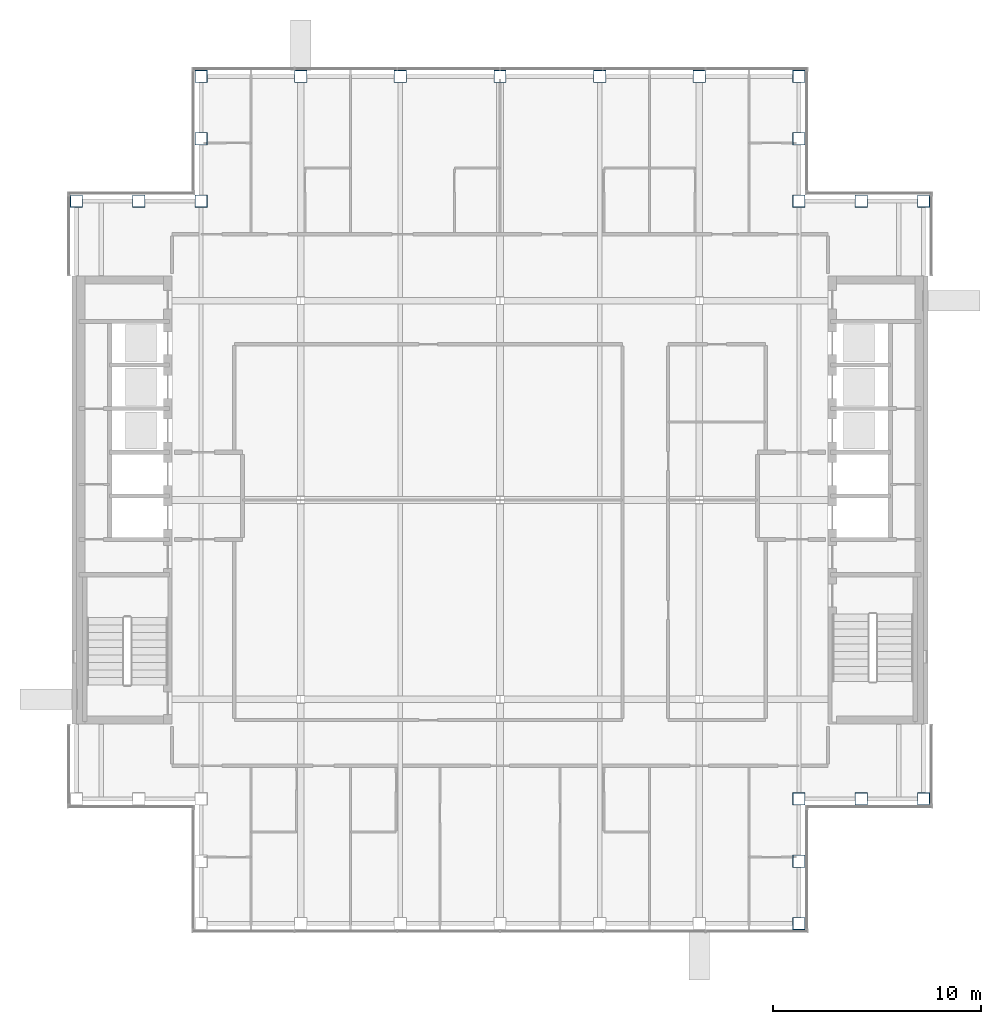
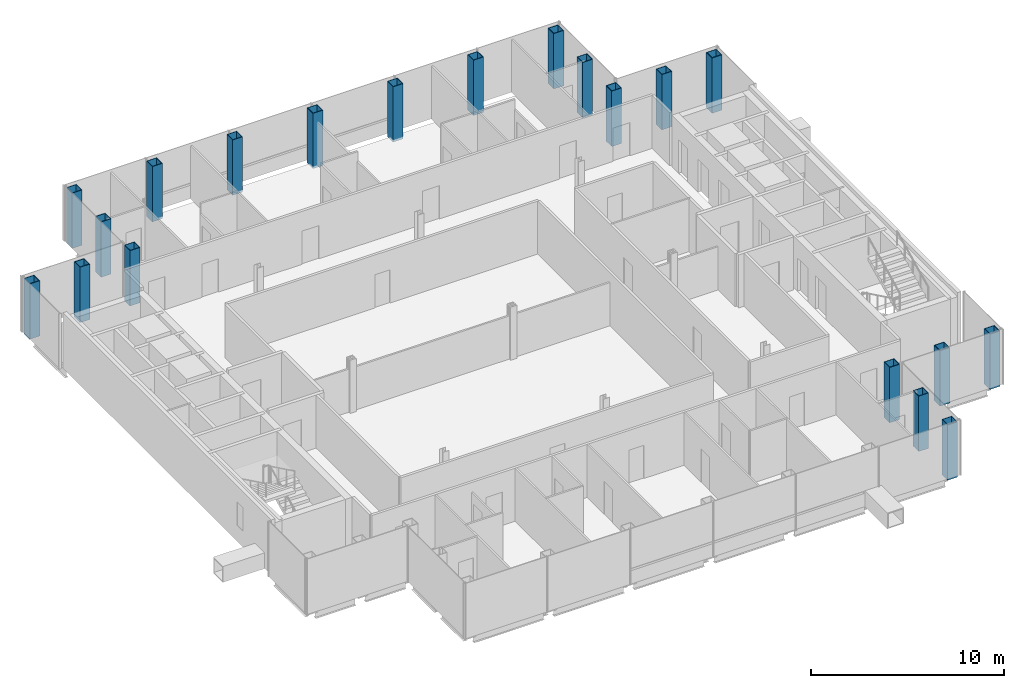
# One storey, part 2 of 15: 20 columns.
"""IFC4 building model written with IfcOpenShell, lengths in metres."""

from ifc_helpers import new_model, si_unit, direction, frame, origin, origin_2d, place, context, subcontext, project, spatial, hollow_rectangle, extrude, material, material_profile, profile_set, type_object, element, save


model = new_model("IFC4")

# Units and contexts
model_context = context("Model", 3, precision=1e-05, world=origin(), true_north=direction((0.0, 1.0)))
body_context = subcontext(model_context, "Body", "Model", "MODEL_VIEW")
ifc_project = project(units=[si_unit("LENGTHUNIT", "METRE"), si_unit("AREAUNIT", "SQUARE_METRE"), si_unit("VOLUMEUNIT", "CUBIC_METRE"), si_unit("PLANEANGLEUNIT", "RADIAN"), si_unit("MASSUNIT", "GRAM", prefix="KILO")], contexts=[model_context])

# Site, building, storey
site_placement = place(None, origin())
site = spatial("IfcSite", under=ifc_project, at=site_placement, CompositionType="ELEMENT")
building_placement = place(site_placement, origin())
building = spatial("IfcBuilding", under=site, at=building_placement, Name="Cobrizo Arcos Hotel Tower", CompositionType="ELEMENT")
storey_placement = place(building_placement, frame((0.0, 0.0, 258.5)))
storey = spatial("IfcBuildingStorey", under=building, at=storey_placement, Name="L68", CompositionType="ELEMENT", Elevation=258.5)

# Columns
ifc_material = material(Name="Steel ASTM A572 Grade 50", Category="steel")
ifc_material_profile = material_profile(ifc_material, hollow_rectangle(XDim=0.60009765625, YDim=0.60009765625, WallThickness=0.030029296875, at=origin_2d()), Name="BOX 600X600X30")
ifc_profile_set = profile_set([ifc_material_profile], Name="Steel ASTM A572 Grade 50")
column_type = type_object("IfcColumnType", Name="BOX 600X600X30 column", PredefinedType="COLUMN", material=ifc_profile_set)
for number, where, z_axis, x_axis, name in (
    (1, (-14.39990234375, 20.39990234375, -0.14990234375), (0.0, 0.0, 1.0), (1.0, 0.0, 0.0), "Perimeter column C12, L68, no. 00"),
    (2, (-9.60009765625, 20.39990234375, -0.14990234375), (0.0, 0.0, 1.0), (1.0, 0.0, 0.0), "Perimeter column C12, L68, no. 02"),
    (3, (-4.800048828125, 20.39990234375, -0.14990234375), (0.0, 0.0, 1.0), (1.0, 0.0, 0.0), "Perimeter column C12, L68, no. 04"),
    (4, (0.0, 20.39990234375, -0.14990234375), (0.0, 0.0, 1.0), (1.0, 0.0, 0.0), "Perimeter column C12, L68, no. 06"),
    (5, (4.800048828125, 20.39990234375, -0.14990234375), (0.0, 0.0, 1.0), (1.0, 0.0, 0.0), "Perimeter column C12, L68, no. 08"),
    (6, (9.60009765625, 20.39990234375, -0.14990234375), (0.0, 0.0, 1.0), (1.0, 0.0, 0.0), "Perimeter column C12, L68, no. 10"),
    (7, (14.39990234375, 20.39990234375, -0.14990234375), (0.0, 0.0, 1.0), (1.0, 0.0, 0.0), "Perimeter column C12, L68, no. 12"),
    (8, (14.39990234375, -20.39990234375, -0.14990234375), (0.0, 0.0, 1.0), (1.0, 0.0, 0.0), "Perimeter column C12, L68, no. 13"),
    (9, (20.39990234375, -14.39990234375, -0.14990234375), (0.0, 0.0, 1.0), (1.0, 0.0, 0.0), "Perimeter column C12, L68, no. 14"),
    (10, (20.39990234375, 14.39990234375, -0.14990234375), (0.0, 0.0, 1.0), (1.0, 0.0, 0.0), "Perimeter column C12, L68, no. 16"),
    (11, (-20.39990234375, 14.39990234375, -0.14990234375), (0.0, 0.0, 1.0), (1.0, 0.0, 0.0), "Perimeter column C12, L68, no. 17"),
    (12, (-14.39990234375, 14.39990234375, -0.14990234375), (0.0, 0.0, 1.0), (1.0, 0.0, 0.0), "Perimeter column C12, L68, no. 21"),
    (13, (-14.39990234375, 17.39990234375, -0.14990234375), (0.0, 0.0, 1.0), (1.0, 0.0, 0.0), "Perimeter column C12, L68, no. 22"),
    (14, (-17.39990234375, 14.39990234375, -0.14990234375), (0.0, 0.0, 1.0), (1.0, 0.0, 0.0), "Perimeter column C12, L68, no. 23"),
    (15, (14.39990234375, -14.39990234375, -0.14990234375), (0.0, 0.0, 1.0), (1.0, 0.0, 0.0), "Perimeter column C12, L68, no. 24"),
    (16, (14.39990234375, -17.39990234375, -0.14990234375), (0.0, 0.0, 1.0), (1.0, 0.0, 0.0), "Perimeter column C12, L68, no. 25"),
    (17, (17.39990234375, -14.39990234375, -0.14990234375), (0.0, 0.0, 1.0), (1.0, 0.0, 0.0), "Perimeter column C12, L68, no. 26"),
    (18, (14.39990234375, 14.39990234375, -0.14990234375), (0.0, 0.0, 1.0), (1.0, 0.0, 0.0), "Perimeter column C12, L68, no. 27"),
    (19, (14.39990234375, 17.39990234375, -0.14990234375), (0.0, 0.0, 1.0), (1.0, 0.0, 0.0), "Perimeter column C12, L68, no. 28"),
    (20, (17.39990234375, 14.39990234375, -0.14990234375), (0.0, 0.0, 1.0), (1.0, 0.0, 0.0), "Perimeter column C12, L68, no. 29"),
):
    element("IfcColumn", number, at=place(storey_placement, frame(where, z_axis=z_axis, x_axis=x_axis)), inside=storey, type_object=column_type, Name=name, PredefinedType="COLUMN", context=body_context, shape_type="SweptSolid", body=[
        extrude(hollow_rectangle(XDim=0.60009765625, YDim=0.60009765625, WallThickness=0.030029296875, at=origin_2d()), origin(), (0.0, 0.0, 1.0), 3.5),
    ])

save(model, "model.ifc")
